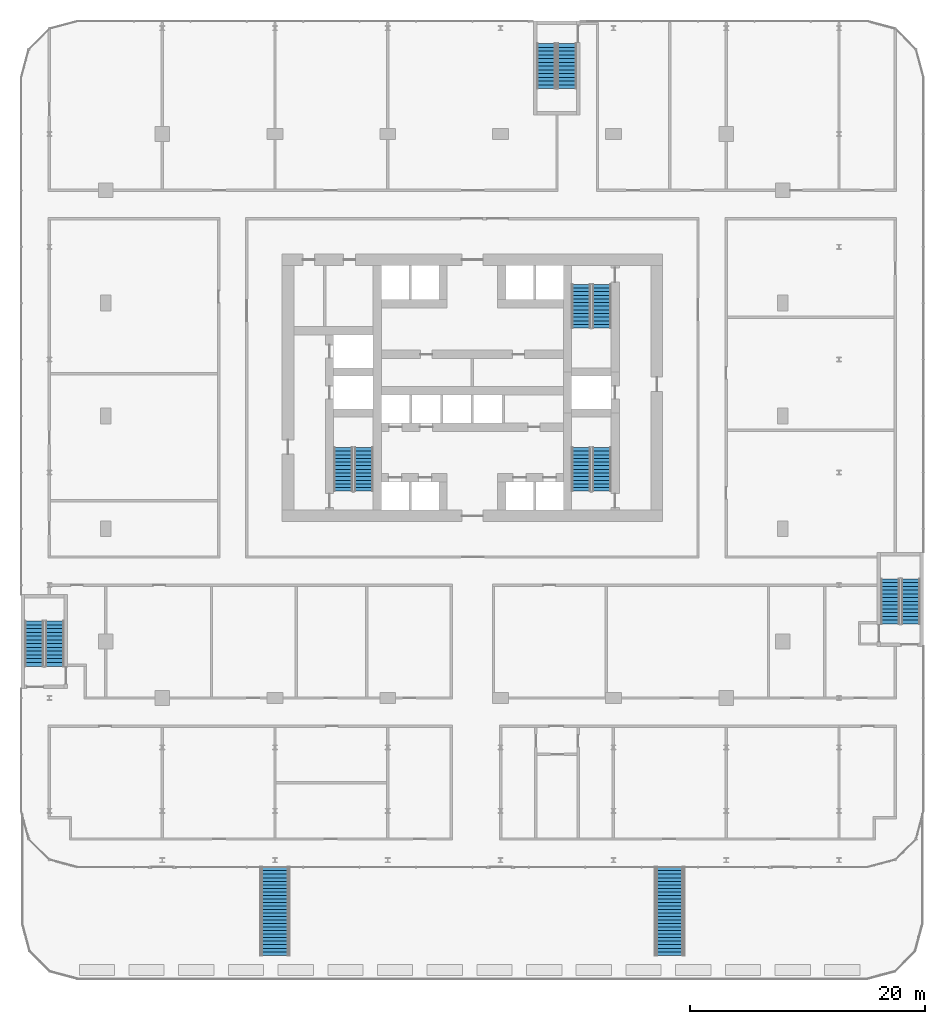
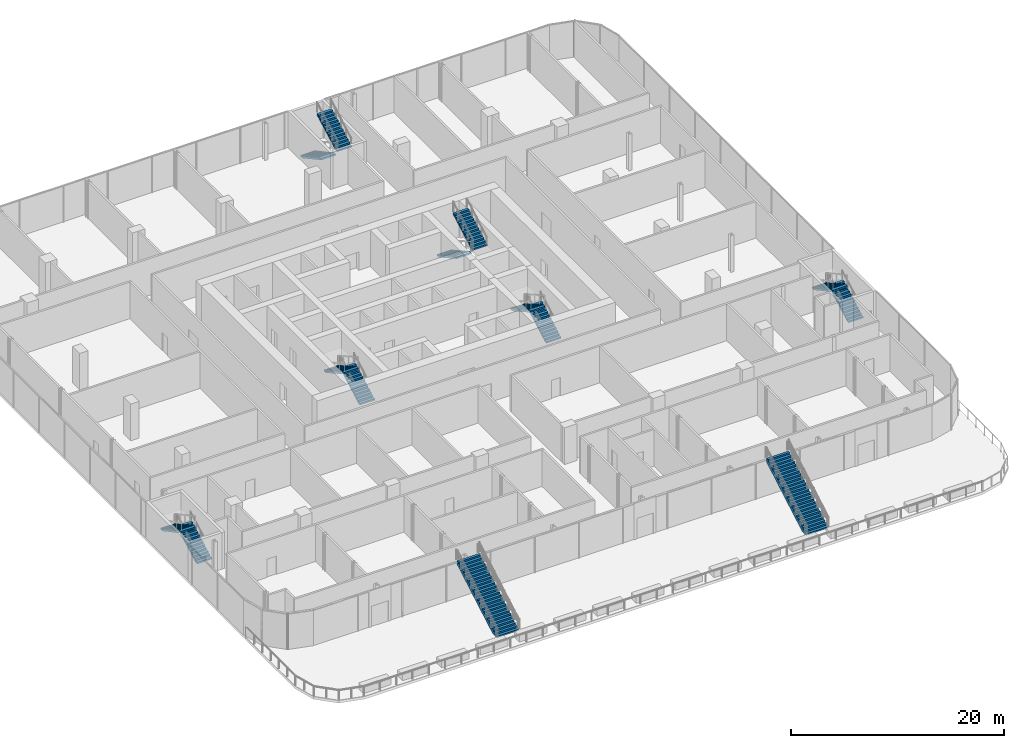
# One storey, part 32 of 38: 14 stair flights, 8 elements without a shape of their own.
"""IFC4 building model written with IfcOpenShell, lengths in metres."""

from ifc_helpers import new_model, si_unit, direction, frame, origin, place, context, subcontext, project, spatial, polyline, outline, extrude, material, type_object, element, aggregate, save


model = new_model("IFC4")

# Units and contexts
model_context = context("Model", 3, precision=1e-05, world=origin(), true_north=direction((0.0, 1.0)))
body_context = subcontext(model_context, "Body", "Model", "MODEL_VIEW")
ifc_project = project(units=[si_unit("LENGTHUNIT", "METRE"), si_unit("AREAUNIT", "SQUARE_METRE"), si_unit("VOLUMEUNIT", "CUBIC_METRE"), si_unit("PLANEANGLEUNIT", "RADIAN"), si_unit("MASSUNIT", "GRAM", prefix="KILO")], contexts=[model_context])

# Site, building, storey
site_placement = place(None, origin())
site = spatial("IfcSite", under=ifc_project, at=site_placement, CompositionType="ELEMENT")
building_placement = place(site_placement, origin())
building = spatial("IfcBuilding", under=site, at=building_placement, Name="Madar Terraces", CompositionType="ELEMENT")
storey_placement = place(building_placement, frame((0.0, 0.0, 15.0)))
storey = spatial("IfcBuildingStorey", under=building, at=storey_placement, Name="L03", CompositionType="ELEMENT", Elevation=15.0)

# Stair, stair flight
ifc_material_1 = material(Name="Concrete C40/50", Category="concrete")
stair_type_1 = type_object("IfcStairType", Name="Cascade stair 2400", PredefinedType="STRAIGHT_RUN_STAIR", material=ifc_material_1)
stair_1_placement = place(storey_placement, origin())
stair_1 = element("IfcStair", 1, at=stair_1_placement, inside=storey, type_object=stair_type_1, Name="Cascade stair L04 1", PredefinedType="STRAIGHT_RUN_STAIR")
ifc_material_2 = material(Name="Concrete C40/50", Category="concrete")
stair_flight_type_1 = type_object("IfcStairFlightType", Name="Stair flight CS1-F2, 2400 wide, 26 risers", PredefinedType="STRAIGHT", material=ifc_material_2)
stair_flight_1_placement = place(storey_placement, frame((14.39990234375, -21.89990234375, 0.0), z_axis=(0.0, 0.0, 1.0), x_axis=(0.0, 1.0, 0.0)))
stair_flight_1 = element("IfcStairFlight", 2, at=stair_flight_1_placement, type_object=stair_flight_type_1, Name="CS1 flight 1", NumberOfRisers=26, NumberOfTreads=25, PredefinedType="STRAIGHT", RiserHeight=0.173076923, TreadLength=0.3, context=body_context, shape_type="SweptSolid", body=[
    extrude(outline(polyline([(0.0, 0.0), (0.0, 0.173095703125), (0.300048828125, 0.173095703125), (0.300048828125, 0.34619140625), (0.60009765625, 0.34619140625), (0.60009765625, 0.519287109375), (0.89990234375, 0.519287109375), (0.89990234375, 0.6923828125), (1.199951171875, 0.6923828125), (1.199951171875, 0.865478515625), (1.5, 0.865478515625), (1.5, 1.03857421875), (1.800048828125, 1.03857421875), (1.800048828125, 1.21142578125), (2.10009765625, 1.21142578125), (2.10009765625, 1.384521484375), (2.39990234375, 1.384521484375), (2.39990234375, 1.5576171875), (2.699951171875, 1.5576171875), (2.699951171875, 1.730712890625), (3.0, 1.730712890625), (3.0, 1.90380859375), (3.300048828125, 1.90380859375), (3.300048828125, 2.076904296875), (3.60009765625, 2.076904296875), (3.60009765625, 2.25), (3.89990234375, 2.25), (3.89990234375, 2.423095703125), (4.199951171875, 2.423095703125), (4.199951171875, 2.59619140625), (4.5, 2.59619140625), (4.5, 2.769287109375), (4.800048828125, 2.769287109375), (4.800048828125, 2.9423828125), (5.10009765625, 2.9423828125), (5.10009765625, 3.115478515625), (5.39990234375, 3.115478515625), (5.39990234375, 3.28857421875), (5.699951171875, 3.28857421875), (5.699951171875, 3.46142578125), (6.0, 3.46142578125), (6.0, 3.634521484375), (6.300048828125, 3.634521484375), (6.300048828125, 3.8076171875), (6.60009765625, 3.8076171875), (6.60009765625, 3.980712890625), (6.89990234375, 3.980712890625), (6.89990234375, 4.15380859375), (7.199951171875, 4.15380859375), (7.199951171875, 4.326904296875), (7.5, 4.326904296875), (7.5, 4.5), (7.5, 3.9228515625), (0.70068359375, 0.0), (0.0, 0.0)])), frame((0.0, 1.199951171875, 0.0), z_axis=(0.0, -1.0, 0.0), x_axis=(1.0, 0.0, 0.0)), (0.0, 0.0, 1.0), 2.39990234375),
])
aggregate(stair_1, [stair_flight_1])

stair_2_placement = place(storey_placement, origin())
stair_2 = element("IfcStair", 3, at=stair_2_placement, inside=storey, type_object=stair_type_1, Name="Cascade stair L04 2", PredefinedType="STRAIGHT_RUN_STAIR")
stair_flight_2_placement = place(storey_placement, frame((48.0, -21.89990234375, 0.0), z_axis=(0.0, 0.0, 1.0), x_axis=(0.0, 1.0, 0.0)))
stair_flight_2 = element("IfcStairFlight", 4, at=stair_flight_2_placement, type_object=stair_flight_type_1, Name="CS1 flight 1", NumberOfRisers=26, NumberOfTreads=25, PredefinedType="STRAIGHT", RiserHeight=0.173076923, TreadLength=0.3, context=body_context, shape_type="SweptSolid", body=[
    extrude(outline(polyline([(0.0, 0.0), (0.0, 0.173095703125), (0.300048828125, 0.173095703125), (0.300048828125, 0.34619140625), (0.60009765625, 0.34619140625), (0.60009765625, 0.519287109375), (0.89990234375, 0.519287109375), (0.89990234375, 0.6923828125), (1.199951171875, 0.6923828125), (1.199951171875, 0.865478515625), (1.5, 0.865478515625), (1.5, 1.03857421875), (1.800048828125, 1.03857421875), (1.800048828125, 1.21142578125), (2.10009765625, 1.21142578125), (2.10009765625, 1.384521484375), (2.39990234375, 1.384521484375), (2.39990234375, 1.5576171875), (2.699951171875, 1.5576171875), (2.699951171875, 1.730712890625), (3.0, 1.730712890625), (3.0, 1.90380859375), (3.300048828125, 1.90380859375), (3.300048828125, 2.076904296875), (3.60009765625, 2.076904296875), (3.60009765625, 2.25), (3.89990234375, 2.25), (3.89990234375, 2.423095703125), (4.199951171875, 2.423095703125), (4.199951171875, 2.59619140625), (4.5, 2.59619140625), (4.5, 2.769287109375), (4.800048828125, 2.769287109375), (4.800048828125, 2.9423828125), (5.10009765625, 2.9423828125), (5.10009765625, 3.115478515625), (5.39990234375, 3.115478515625), (5.39990234375, 3.28857421875), (5.699951171875, 3.28857421875), (5.699951171875, 3.46142578125), (6.0, 3.46142578125), (6.0, 3.634521484375), (6.300048828125, 3.634521484375), (6.300048828125, 3.8076171875), (6.60009765625, 3.8076171875), (6.60009765625, 3.980712890625), (6.89990234375, 3.980712890625), (6.89990234375, 4.15380859375), (7.199951171875, 4.15380859375), (7.199951171875, 4.326904296875), (7.5, 4.326904296875), (7.5, 4.5), (7.5, 3.9228515625), (0.70068359375, 0.0), (0.0, 0.0)])), frame((0.0, 1.199951171875, 0.0), z_axis=(0.0, -1.0, 0.0), x_axis=(1.0, 0.0, 0.0)), (0.0, 0.0, 1.0), 2.39990234375),
])
aggregate(stair_2, [stair_flight_2])

# Stair, stair flights
ifc_material_3 = material(Name="Concrete C50/60", Category="concrete")
stair_type_2 = type_object("IfcStairType", Name="Stair PS1 protected exit", PredefinedType="HALF_TURN_STAIR", material=ifc_material_3)
stair_3_placement = place(storey_placement, origin())
stair_3 = element("IfcStair", 5, at=stair_3_placement, inside=storey, type_object=stair_type_2, Name="L03 Protected Exit Stair PS1", PredefinedType="HALF_TURN_STAIR")
ifc_material_4 = material(Name="Concrete C50/60", Category="concrete")
stair_flight_type_2 = type_object("IfcStairFlightType", Name="Stair flight PS1-F2, 1600 wide, 13 risers", PredefinedType="STRAIGHT", material=ifc_material_4)
stair_flight_3_placement = place(storey_placement, frame((-4.35009765625, 2.699951171875, 0.0), z_axis=(0.0, 0.0, 1.0), x_axis=(0.0, 1.0, 0.0)))
stair_flight_3 = element("IfcStairFlight", 6, at=stair_flight_3_placement, type_object=stair_flight_type_2, Name="PS1 flight 1", NumberOfRisers=13, NumberOfTreads=12, PredefinedType="STRAIGHT", RiserHeight=0.173076923, TreadLength=0.32, context=body_context, shape_type="SweptSolid", body=[
    extrude(outline(polyline([(0.0, 0.0), (0.0, 0.173095703125), (0.320068359375, 0.173095703125), (0.320068359375, 0.34619140625), (0.639892578125, 0.34619140625), (0.639892578125, 0.519287109375), (0.9599609375, 0.519287109375), (0.9599609375, 0.6923828125), (1.280029296875, 0.6923828125), (1.280029296875, 0.865478515625), (1.60009765625, 0.865478515625), (1.60009765625, 1.03857421875), (1.919921875, 1.03857421875), (1.919921875, 1.21142578125), (2.239990234375, 1.21142578125), (2.239990234375, 1.384521484375), (2.56005859375, 1.384521484375), (2.56005859375, 1.5576171875), (2.8798828125, 1.5576171875), (2.8798828125, 1.730712890625), (3.199951171875, 1.730712890625), (3.199951171875, 1.90380859375), (3.52001953125, 1.90380859375), (3.52001953125, 2.076904296875), (3.840087890625, 2.076904296875), (3.840087890625, 2.25), (3.840087890625, 1.906494140625), (0.315185546875, 0.0), (0.0, 0.0)])), frame((0.0, 0.800048828125, 0.0), z_axis=(0.0, -1.0, 0.0), x_axis=(1.0, 0.0, 0.0)), (0.0, 0.0, 1.0), 1.60009765625),
])
stair_flight_4_placement = place(storey_placement, frame((-6.10009765625, 6.5400390625, 2.25), z_axis=(0.0, 0.0, 1.0), x_axis=(0.0, -1.0, 0.0)))
stair_flight_4 = element("IfcStairFlight", 7, at=stair_flight_4_placement, type_object=stair_flight_type_2, Name="PS1 flight 2", NumberOfRisers=13, NumberOfTreads=12, PredefinedType="STRAIGHT", RiserHeight=0.173076923, TreadLength=0.32, context=body_context, shape_type="SweptSolid", body=[
    extrude(outline(polyline([(0.0, 0.0), (0.0, 0.173095703125), (0.320068359375, 0.173095703125), (0.320068359375, 0.34619140625), (0.639892578125, 0.34619140625), (0.639892578125, 0.519287109375), (0.9599609375, 0.519287109375), (0.9599609375, 0.6923828125), (1.280029296875, 0.6923828125), (1.280029296875, 0.865478515625), (1.60009765625, 0.865478515625), (1.60009765625, 1.03857421875), (1.919921875, 1.03857421875), (1.919921875, 1.21142578125), (2.239990234375, 1.21142578125), (2.239990234375, 1.384521484375), (2.56005859375, 1.384521484375), (2.56005859375, 1.5576171875), (2.8798828125, 1.5576171875), (2.8798828125, 1.730712890625), (3.199951171875, 1.730712890625), (3.199951171875, 1.90380859375), (3.52001953125, 1.90380859375), (3.52001953125, 2.076904296875), (3.840087890625, 2.076904296875), (3.840087890625, 2.25), (3.840087890625, 1.906494140625), (0.315185546875, 0.0), (0.0, 0.0)])), frame((0.0, 0.800048828125, 0.0), z_axis=(0.0, -1.0, 0.0), x_axis=(1.0, 0.0, 0.0)), (0.0, 0.0, 1.0), 1.60009765625),
])
aggregate(stair_3, [stair_flight_3, stair_flight_4])

ifc_material_5 = material(Name="Concrete C50/60", Category="concrete")
stair_type_3 = type_object("IfcStairType", Name="Stair PS2 protected exit", PredefinedType="HALF_TURN_STAIR", material=ifc_material_5)
stair_4_placement = place(storey_placement, origin())
stair_4 = element("IfcStair", 8, at=stair_4_placement, inside=storey, type_object=stair_type_3, Name="L03 Protected Exit Stair PS2", PredefinedType="HALF_TURN_STAIR")
ifc_material_6 = material(Name="Concrete C50/60", Category="concrete")
stair_flight_type_3 = type_object("IfcStairFlightType", Name="Stair flight PS2-F2, 1600 wide, 13 risers", PredefinedType="STRAIGHT", material=ifc_material_6)
stair_flight_5_placement = place(storey_placement, frame((37.5, 55.699951171875, 0.0), z_axis=(0.0, 0.0, 1.0), x_axis=(0.0, -1.0, 0.0)))
stair_flight_5 = element("IfcStairFlight", 9, at=stair_flight_5_placement, type_object=stair_flight_type_3, Name="PS2 flight 1", NumberOfRisers=13, NumberOfTreads=12, PredefinedType="STRAIGHT", RiserHeight=0.173076923, TreadLength=0.32, context=body_context, shape_type="SweptSolid", body=[
    extrude(outline(polyline([(0.0, 0.0), (0.0, 0.173095703125), (0.320068359375, 0.173095703125), (0.320068359375, 0.34619140625), (0.639892578125, 0.34619140625), (0.639892578125, 0.519287109375), (0.9599609375, 0.519287109375), (0.9599609375, 0.6923828125), (1.280029296875, 0.6923828125), (1.280029296875, 0.865478515625), (1.60009765625, 0.865478515625), (1.60009765625, 1.03857421875), (1.919921875, 1.03857421875), (1.919921875, 1.21142578125), (2.239990234375, 1.21142578125), (2.239990234375, 1.384521484375), (2.56005859375, 1.384521484375), (2.56005859375, 1.5576171875), (2.8798828125, 1.5576171875), (2.8798828125, 1.730712890625), (3.199951171875, 1.730712890625), (3.199951171875, 1.90380859375), (3.52001953125, 1.90380859375), (3.52001953125, 2.076904296875), (3.840087890625, 2.076904296875), (3.840087890625, 2.25), (3.840087890625, 1.906494140625), (0.315185546875, 0.0), (0.0, 0.0)])), frame((0.0, 0.800048828125, 0.0), z_axis=(0.0, -1.0, 0.0), x_axis=(1.0, 0.0, 0.0)), (0.0, 0.0, 1.0), 1.60009765625),
])
stair_flight_6_placement = place(storey_placement, frame((39.25, 51.860107421875, 2.25), z_axis=(0.0, 0.0, 1.0), x_axis=(0.0, 1.0, 0.0)))
stair_flight_6 = element("IfcStairFlight", 10, at=stair_flight_6_placement, type_object=stair_flight_type_3, Name="PS2 flight 2", NumberOfRisers=13, NumberOfTreads=12, PredefinedType="STRAIGHT", RiserHeight=0.173076923, TreadLength=0.32, context=body_context, shape_type="SweptSolid", body=[
    extrude(outline(polyline([(0.0, 0.0), (0.0, 0.173095703125), (0.320068359375, 0.173095703125), (0.320068359375, 0.34619140625), (0.639892578125, 0.34619140625), (0.639892578125, 0.519287109375), (0.9599609375, 0.519287109375), (0.9599609375, 0.6923828125), (1.280029296875, 0.6923828125), (1.280029296875, 0.865478515625), (1.60009765625, 0.865478515625), (1.60009765625, 1.03857421875), (1.919921875, 1.03857421875), (1.919921875, 1.21142578125), (2.239990234375, 1.21142578125), (2.239990234375, 1.384521484375), (2.56005859375, 1.384521484375), (2.56005859375, 1.5576171875), (2.8798828125, 1.5576171875), (2.8798828125, 1.730712890625), (3.199951171875, 1.730712890625), (3.199951171875, 1.90380859375), (3.52001953125, 1.90380859375), (3.52001953125, 2.076904296875), (3.840087890625, 2.076904296875), (3.840087890625, 2.25), (3.840087890625, 1.906494140625), (0.315185546875, 0.0), (0.0, 0.0)])), frame((0.0, 0.800048828125, 0.0), z_axis=(0.0, -1.0, 0.0), x_axis=(1.0, 0.0, 0.0)), (0.0, 0.0, 1.0), 1.60009765625),
])
aggregate(stair_4, [stair_flight_5, stair_flight_6])

ifc_material_7 = material(Name="Concrete C50/60", Category="concrete")
stair_type_4 = type_object("IfcStairType", Name="Stair PS3 protected exit", PredefinedType="HALF_TURN_STAIR", material=ifc_material_7)
stair_5_placement = place(storey_placement, origin())
stair_5 = element("IfcStair", 11, at=stair_5_placement, inside=storey, type_object=stair_type_4, Name="L03 Protected Exit Stair PS3", PredefinedType="HALF_TURN_STAIR")
ifc_material_8 = material(Name="Concrete C50/60", Category="concrete")
stair_flight_type_4 = type_object("IfcStairFlightType", Name="Stair flight PS3-F2, 1600 wide, 13 risers", PredefinedType="STRAIGHT", material=ifc_material_8)
stair_flight_7_placement = place(storey_placement, frame((68.5, 6.300048828125, 0.0), z_axis=(0.0, 0.0, 1.0), x_axis=(0.0, 1.0, 0.0)))
stair_flight_7 = element("IfcStairFlight", 12, at=stair_flight_7_placement, type_object=stair_flight_type_4, Name="PS3 flight 1", NumberOfRisers=13, NumberOfTreads=12, PredefinedType="STRAIGHT", RiserHeight=0.173076923, TreadLength=0.32, context=body_context, shape_type="SweptSolid", body=[
    extrude(outline(polyline([(0.0, 0.0), (0.0, 0.173095703125), (0.320068359375, 0.173095703125), (0.320068359375, 0.34619140625), (0.639892578125, 0.34619140625), (0.639892578125, 0.519287109375), (0.9599609375, 0.519287109375), (0.9599609375, 0.6923828125), (1.280029296875, 0.6923828125), (1.280029296875, 0.865478515625), (1.60009765625, 0.865478515625), (1.60009765625, 1.03857421875), (1.919921875, 1.03857421875), (1.919921875, 1.21142578125), (2.239990234375, 1.21142578125), (2.239990234375, 1.384521484375), (2.56005859375, 1.384521484375), (2.56005859375, 1.5576171875), (2.8798828125, 1.5576171875), (2.8798828125, 1.730712890625), (3.199951171875, 1.730712890625), (3.199951171875, 1.90380859375), (3.52001953125, 1.90380859375), (3.52001953125, 2.076904296875), (3.840087890625, 2.076904296875), (3.840087890625, 2.25), (3.840087890625, 1.906494140625), (0.315185546875, 0.0), (0.0, 0.0)])), frame((0.0, 0.800048828125, 0.0), z_axis=(0.0, -1.0, 0.0), x_axis=(1.0, 0.0, 0.0)), (0.0, 0.0, 1.0), 1.60009765625),
])
stair_flight_8_placement = place(storey_placement, frame((66.75, 10.139892578125, 2.25), z_axis=(0.0, 0.0, 1.0), x_axis=(0.0, -1.0, 0.0)))
stair_flight_8 = element("IfcStairFlight", 13, at=stair_flight_8_placement, type_object=stair_flight_type_4, Name="PS3 flight 2", NumberOfRisers=13, NumberOfTreads=12, PredefinedType="STRAIGHT", RiserHeight=0.173076923, TreadLength=0.32, context=body_context, shape_type="SweptSolid", body=[
    extrude(outline(polyline([(0.0, 0.0), (0.0, 0.173095703125), (0.320068359375, 0.173095703125), (0.320068359375, 0.34619140625), (0.639892578125, 0.34619140625), (0.639892578125, 0.519287109375), (0.9599609375, 0.519287109375), (0.9599609375, 0.6923828125), (1.280029296875, 0.6923828125), (1.280029296875, 0.865478515625), (1.60009765625, 0.865478515625), (1.60009765625, 1.03857421875), (1.919921875, 1.03857421875), (1.919921875, 1.21142578125), (2.239990234375, 1.21142578125), (2.239990234375, 1.384521484375), (2.56005859375, 1.384521484375), (2.56005859375, 1.5576171875), (2.8798828125, 1.5576171875), (2.8798828125, 1.730712890625), (3.199951171875, 1.730712890625), (3.199951171875, 1.90380859375), (3.52001953125, 1.90380859375), (3.52001953125, 2.076904296875), (3.840087890625, 2.076904296875), (3.840087890625, 2.25), (3.840087890625, 1.906494140625), (0.315185546875, 0.0), (0.0, 0.0)])), frame((0.0, 0.800048828125, 0.0), z_axis=(0.0, -1.0, 0.0), x_axis=(1.0, 0.0, 0.0)), (0.0, 0.0, 1.0), 1.60009765625),
])
aggregate(stair_5, [stair_flight_7, stair_flight_8])

ifc_material_9 = material(Name="Concrete C50/60", Category="concrete")
stair_type_5 = type_object("IfcStairType", Name="Stair ST1 protected exit", PredefinedType="HALF_TURN_STAIR", material=ifc_material_9)
stair_6_placement = place(storey_placement, origin())
stair_6 = element("IfcStair", 14, at=stair_6_placement, inside=storey, type_object=stair_type_5, Name="L03 Protected Exit Stair ST1", PredefinedType="HALF_TURN_STAIR")
ifc_material_10 = material(Name="Concrete C50/60", Category="concrete")
stair_flight_type_5 = type_object("IfcStairFlightType", Name="Stair flight ST1-F2, 1600 wide, 13 risers", PredefinedType="STRAIGHT", material=ifc_material_10)
stair_flight_9_placement = place(storey_placement, frame((21.949951171875, 17.60009765625, 0.0), z_axis=(0.0, 0.0, 1.0), x_axis=(0.0, 1.0, 0.0)))
stair_flight_9 = element("IfcStairFlight", 15, at=stair_flight_9_placement, type_object=stair_flight_type_5, Name="ST1 flight 1", NumberOfRisers=13, NumberOfTreads=12, PredefinedType="STRAIGHT", RiserHeight=0.173076923, TreadLength=0.31, context=body_context, shape_type="SweptSolid", body=[
    extrude(outline(polyline([(0.0, 0.0), (0.0, 0.173095703125), (0.31005859375, 0.173095703125), (0.31005859375, 0.34619140625), (0.6201171875, 0.34619140625), (0.6201171875, 0.519287109375), (0.929931640625, 0.519287109375), (0.929931640625, 0.6923828125), (1.239990234375, 0.6923828125), (1.239990234375, 0.865478515625), (1.550048828125, 0.865478515625), (1.550048828125, 1.03857421875), (1.860107421875, 1.03857421875), (1.860107421875, 1.21142578125), (2.169921875, 1.21142578125), (2.169921875, 1.384521484375), (2.47998046875, 1.384521484375), (2.47998046875, 1.5576171875), (2.7900390625, 1.5576171875), (2.7900390625, 1.730712890625), (3.10009765625, 1.730712890625), (3.10009765625, 1.90380859375), (3.409912109375, 1.90380859375), (3.409912109375, 2.076904296875), (3.719970703125, 2.076904296875), (3.719970703125, 2.25), (3.719970703125, 1.9052734375), (0.3076171875, 0.0), (0.0, 0.0)])), frame((0.0, 0.800048828125, 0.0), z_axis=(0.0, -1.0, 0.0), x_axis=(1.0, 0.0, 0.0)), (0.0, 0.0, 1.0), 1.60009765625),
])
stair_flight_10_placement = place(storey_placement, frame((20.199951171875, 21.320068359375, 2.25), z_axis=(0.0, 0.0, 1.0), x_axis=(0.0, -1.0, 0.0)))
stair_flight_10 = element("IfcStairFlight", 16, at=stair_flight_10_placement, type_object=stair_flight_type_5, Name="ST1 flight 2", NumberOfRisers=13, NumberOfTreads=12, PredefinedType="STRAIGHT", RiserHeight=0.173076923, TreadLength=0.31, context=body_context, shape_type="SweptSolid", body=[
    extrude(outline(polyline([(0.0, 0.0), (0.0, 0.173095703125), (0.31005859375, 0.173095703125), (0.31005859375, 0.34619140625), (0.6201171875, 0.34619140625), (0.6201171875, 0.519287109375), (0.929931640625, 0.519287109375), (0.929931640625, 0.6923828125), (1.239990234375, 0.6923828125), (1.239990234375, 0.865478515625), (1.550048828125, 0.865478515625), (1.550048828125, 1.03857421875), (1.860107421875, 1.03857421875), (1.860107421875, 1.21142578125), (2.169921875, 1.21142578125), (2.169921875, 1.384521484375), (2.47998046875, 1.384521484375), (2.47998046875, 1.5576171875), (2.7900390625, 1.5576171875), (2.7900390625, 1.730712890625), (3.10009765625, 1.730712890625), (3.10009765625, 1.90380859375), (3.409912109375, 1.90380859375), (3.409912109375, 2.076904296875), (3.719970703125, 2.076904296875), (3.719970703125, 2.25), (3.719970703125, 1.9052734375), (0.3076171875, 0.0), (0.0, 0.0)])), frame((0.0, 0.800048828125, 0.0), z_axis=(0.0, -1.0, 0.0), x_axis=(1.0, 0.0, 0.0)), (0.0, 0.0, 1.0), 1.60009765625),
])
aggregate(stair_6, [stair_flight_9, stair_flight_10])

ifc_material_11 = material(Name="Concrete C50/60", Category="concrete")
stair_type_6 = type_object("IfcStairType", Name="Stair ST2 protected exit", PredefinedType="HALF_TURN_STAIR", material=ifc_material_11)
stair_7_placement = place(storey_placement, origin())
stair_7 = element("IfcStair", 17, at=stair_7_placement, inside=storey, type_object=stair_type_6, Name="L03 Protected Exit Stair ST2", PredefinedType="HALF_TURN_STAIR")
ifc_material_12 = material(Name="Concrete C50/60", Category="concrete")
stair_flight_type_6 = type_object("IfcStairFlightType", Name="Stair flight ST2-F2, 1600 wide, 13 risers", PredefinedType="STRAIGHT", material=ifc_material_12)
stair_flight_11_placement = place(storey_placement, frame((40.449951171875, 35.199951171875, 0.0), z_axis=(0.0, 0.0, 1.0), x_axis=(0.0, -1.0, 0.0)))
stair_flight_11 = element("IfcStairFlight", 18, at=stair_flight_11_placement, type_object=stair_flight_type_6, Name="ST2 flight 1", NumberOfRisers=13, NumberOfTreads=12, PredefinedType="STRAIGHT", RiserHeight=0.173076923, TreadLength=0.31, context=body_context, shape_type="SweptSolid", body=[
    extrude(outline(polyline([(0.0, 0.0), (0.0, 0.173095703125), (0.31005859375, 0.173095703125), (0.31005859375, 0.34619140625), (0.6201171875, 0.34619140625), (0.6201171875, 0.519287109375), (0.929931640625, 0.519287109375), (0.929931640625, 0.6923828125), (1.239990234375, 0.6923828125), (1.239990234375, 0.865478515625), (1.550048828125, 0.865478515625), (1.550048828125, 1.03857421875), (1.860107421875, 1.03857421875), (1.860107421875, 1.21142578125), (2.169921875, 1.21142578125), (2.169921875, 1.384521484375), (2.47998046875, 1.384521484375), (2.47998046875, 1.5576171875), (2.7900390625, 1.5576171875), (2.7900390625, 1.730712890625), (3.10009765625, 1.730712890625), (3.10009765625, 1.90380859375), (3.409912109375, 1.90380859375), (3.409912109375, 2.076904296875), (3.719970703125, 2.076904296875), (3.719970703125, 2.25), (3.719970703125, 1.9052734375), (0.3076171875, 0.0), (0.0, 0.0)])), frame((0.0, 0.800048828125, 0.0), z_axis=(0.0, -1.0, 0.0), x_axis=(1.0, 0.0, 0.0)), (0.0, 0.0, 1.0), 1.60009765625),
])
stair_flight_12_placement = place(storey_placement, frame((42.199951171875, 31.47998046875, 2.25), z_axis=(0.0, 0.0, 1.0), x_axis=(0.0, 1.0, 0.0)))
stair_flight_12 = element("IfcStairFlight", 19, at=stair_flight_12_placement, type_object=stair_flight_type_6, Name="ST2 flight 2", NumberOfRisers=13, NumberOfTreads=12, PredefinedType="STRAIGHT", RiserHeight=0.173076923, TreadLength=0.31, context=body_context, shape_type="SweptSolid", body=[
    extrude(outline(polyline([(0.0, 0.0), (0.0, 0.173095703125), (0.31005859375, 0.173095703125), (0.31005859375, 0.34619140625), (0.6201171875, 0.34619140625), (0.6201171875, 0.519287109375), (0.929931640625, 0.519287109375), (0.929931640625, 0.6923828125), (1.239990234375, 0.6923828125), (1.239990234375, 0.865478515625), (1.550048828125, 0.865478515625), (1.550048828125, 1.03857421875), (1.860107421875, 1.03857421875), (1.860107421875, 1.21142578125), (2.169921875, 1.21142578125), (2.169921875, 1.384521484375), (2.47998046875, 1.384521484375), (2.47998046875, 1.5576171875), (2.7900390625, 1.5576171875), (2.7900390625, 1.730712890625), (3.10009765625, 1.730712890625), (3.10009765625, 1.90380859375), (3.409912109375, 1.90380859375), (3.409912109375, 2.076904296875), (3.719970703125, 2.076904296875), (3.719970703125, 2.25), (3.719970703125, 1.9052734375), (0.3076171875, 0.0), (0.0, 0.0)])), frame((0.0, 0.800048828125, 0.0), z_axis=(0.0, -1.0, 0.0), x_axis=(1.0, 0.0, 0.0)), (0.0, 0.0, 1.0), 1.60009765625),
])
aggregate(stair_7, [stair_flight_11, stair_flight_12])

ifc_material_13 = material(Name="Concrete C50/60", Category="concrete")
stair_type_7 = type_object("IfcStairType", Name="Stair ST3 protected exit", PredefinedType="HALF_TURN_STAIR", material=ifc_material_13)
stair_8_placement = place(storey_placement, origin())
stair_8 = element("IfcStair", 20, at=stair_8_placement, inside=storey, type_object=stair_type_7, Name="L03 Protected Exit Stair ST3", PredefinedType="HALF_TURN_STAIR")
ifc_material_14 = material(Name="Concrete C50/60", Category="concrete")
stair_flight_type_7 = type_object("IfcStairFlightType", Name="Stair flight ST3-F2, 1600 wide, 13 risers", PredefinedType="STRAIGHT", material=ifc_material_14)
stair_flight_13_placement = place(storey_placement, frame((42.199951171875, 17.60009765625, 0.0), z_axis=(0.0, 0.0, 1.0), x_axis=(0.0, 1.0, 0.0)))
stair_flight_13 = element("IfcStairFlight", 21, at=stair_flight_13_placement, type_object=stair_flight_type_7, Name="ST3 flight 1", NumberOfRisers=13, NumberOfTreads=12, PredefinedType="STRAIGHT", RiserHeight=0.173076923, TreadLength=0.31, context=body_context, shape_type="SweptSolid", body=[
    extrude(outline(polyline([(0.0, 0.0), (0.0, 0.173095703125), (0.31005859375, 0.173095703125), (0.31005859375, 0.34619140625), (0.6201171875, 0.34619140625), (0.6201171875, 0.519287109375), (0.929931640625, 0.519287109375), (0.929931640625, 0.6923828125), (1.239990234375, 0.6923828125), (1.239990234375, 0.865478515625), (1.550048828125, 0.865478515625), (1.550048828125, 1.03857421875), (1.860107421875, 1.03857421875), (1.860107421875, 1.21142578125), (2.169921875, 1.21142578125), (2.169921875, 1.384521484375), (2.47998046875, 1.384521484375), (2.47998046875, 1.5576171875), (2.7900390625, 1.5576171875), (2.7900390625, 1.730712890625), (3.10009765625, 1.730712890625), (3.10009765625, 1.90380859375), (3.409912109375, 1.90380859375), (3.409912109375, 2.076904296875), (3.719970703125, 2.076904296875), (3.719970703125, 2.25), (3.719970703125, 1.9052734375), (0.3076171875, 0.0), (0.0, 0.0)])), frame((0.0, 0.800048828125, 0.0), z_axis=(0.0, -1.0, 0.0), x_axis=(1.0, 0.0, 0.0)), (0.0, 0.0, 1.0), 1.60009765625),
])
stair_flight_14_placement = place(storey_placement, frame((40.449951171875, 21.320068359375, 2.25), z_axis=(0.0, 0.0, 1.0), x_axis=(0.0, -1.0, 0.0)))
stair_flight_14 = element("IfcStairFlight", 22, at=stair_flight_14_placement, type_object=stair_flight_type_7, Name="ST3 flight 2", NumberOfRisers=13, NumberOfTreads=12, PredefinedType="STRAIGHT", RiserHeight=0.173076923, TreadLength=0.31, context=body_context, shape_type="SweptSolid", body=[
    extrude(outline(polyline([(0.0, 0.0), (0.0, 0.173095703125), (0.31005859375, 0.173095703125), (0.31005859375, 0.34619140625), (0.6201171875, 0.34619140625), (0.6201171875, 0.519287109375), (0.929931640625, 0.519287109375), (0.929931640625, 0.6923828125), (1.239990234375, 0.6923828125), (1.239990234375, 0.865478515625), (1.550048828125, 0.865478515625), (1.550048828125, 1.03857421875), (1.860107421875, 1.03857421875), (1.860107421875, 1.21142578125), (2.169921875, 1.21142578125), (2.169921875, 1.384521484375), (2.47998046875, 1.384521484375), (2.47998046875, 1.5576171875), (2.7900390625, 1.5576171875), (2.7900390625, 1.730712890625), (3.10009765625, 1.730712890625), (3.10009765625, 1.90380859375), (3.409912109375, 1.90380859375), (3.409912109375, 2.076904296875), (3.719970703125, 2.076904296875), (3.719970703125, 2.25), (3.719970703125, 1.9052734375), (0.3076171875, 0.0), (0.0, 0.0)])), frame((0.0, 0.800048828125, 0.0), z_axis=(0.0, -1.0, 0.0), x_axis=(1.0, 0.0, 0.0)), (0.0, 0.0, 1.0), 1.60009765625),
])
aggregate(stair_8, [stair_flight_13, stair_flight_14])

save(model, "model.ifc")
